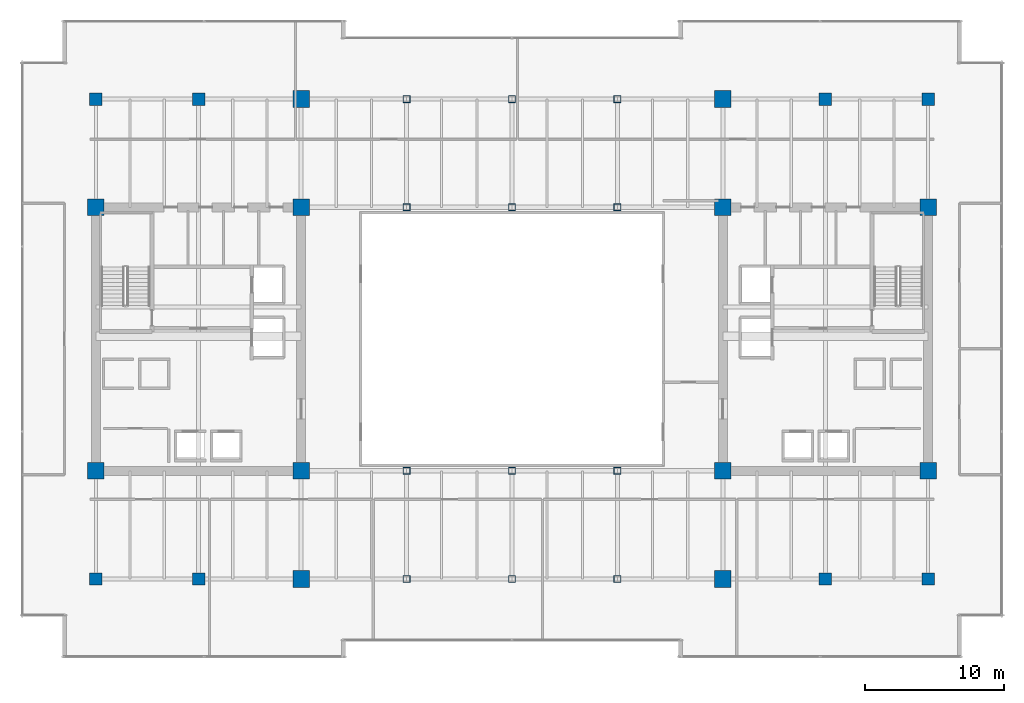
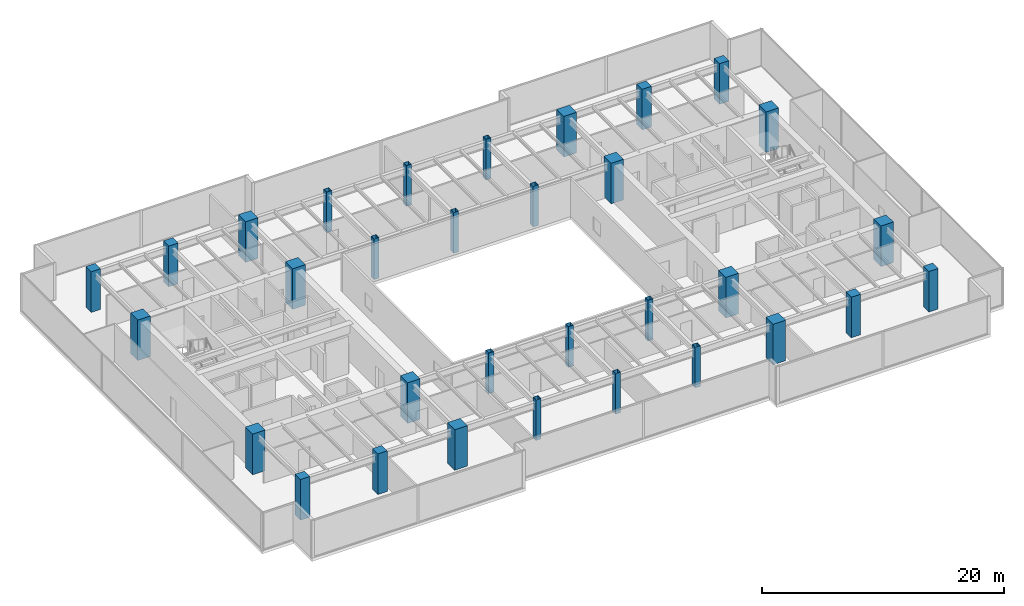
# One storey, part 1 of 30: 32 columns.
"""IFC4 building model written with IfcOpenShell, lengths in metres."""

import ifcopenshell
import ifcopenshell.guid

model = None  # the IFC model being written
_history = None  # IfcOwnerHistory: only IFC2X3 demands one
_inside = {}  # id of a spatial element -> (the spatial element, [elements in it])
_under = {}  # id of a project, library or spatial element -> (it, [spatial elements below it])
_declared = {}  # id of a project -> (the project, [libraries it declares])
_typed = {}  # id of a type object -> (the type object, [elements of that type])
_made_of = {}  # id of a material, layer set ... -> (it, [elements and type objects made of it])


def new_model(schema):
    """Start an empty IFC model of exactly this schema.

    Asked for "IFC4X3", IfcOpenShell would pick the latest addendum, in which some entities
    have other attributes; the version numbers below select the first issue.
    IFC2X3 requires an IfcOwnerHistory on every rooted entity: one is made here for all.
    """
    global model, _history
    if schema == "IFC4X3":
        model = ifcopenshell.file(schema_version=(4, 3, 0, 0))
    else:
        model = ifcopenshell.file(schema=schema)
    _inside.clear()
    _under.clear()
    _declared.clear()
    _typed.clear()
    _made_of.clear()
    _history = None
    if model.schema == "IFC2X3":
        org = make("IfcOrganization", Name="unknown")
        user = make(
            "IfcPersonAndOrganization",
            ThePerson=make("IfcPerson", FamilyName="unknown"),
            TheOrganization=org,
        )
        app = make(
            "IfcApplication",
            ApplicationDeveloper=org,
            Version="unknown",
            ApplicationFullName="unknown",
            ApplicationIdentifier="unknown",
        )
        _history = make(
            "IfcOwnerHistory",
            OwningUser=user,
            OwningApplication=app,
            ChangeAction="ADDED",
            CreationDate=0,
        )
    return model


def make(cls, **values):
    """One entity of the class cls with the attributes given. An attribute that is None is left unset."""
    return model.create_entity(
        cls, **{name: value for name, value in values.items() if value is not None}
    )


def rooted(cls, **values):
    """An entity with a GlobalId (a new one), such as an element, a storey or a relation."""
    return make(cls, GlobalId=ifcopenshell.guid.new(), OwnerHistory=_history, **values)


def si_unit(unit_type, name, prefix=None):
    """IfcSIUnit, for example si_unit("LENGTHUNIT", "METRE", prefix="MILLI")."""
    return make("IfcSIUnit", UnitType=unit_type, Prefix=prefix, Name=name)


def assignment(units):
    """IfcUnitAssignment: the units of a project."""
    return None if units is None else make("IfcUnitAssignment", Units=units)


def point(xyz):
    """IfcCartesianPoint."""
    return None if xyz is None else make("IfcCartesianPoint", Coordinates=xyz)


def direction(xyz):
    """IfcDirection."""
    return None if xyz is None else make("IfcDirection", DirectionRatios=xyz)


def frame(location, z_axis=None, x_axis=None):
    """IfcAxis2Placement3D, a coordinate frame: its origin and axes. An axis left out is left unset."""
    return make(
        "IfcAxis2Placement3D",
        Location=point(location),
        Axis=direction(z_axis),
        RefDirection=direction(x_axis),
    )


def frame_2d(location, x_axis=None):
    """IfcAxis2Placement2D, a coordinate frame in the plane: its origin and x axis."""
    return make(
        "IfcAxis2Placement2D", Location=point(location), RefDirection=direction(x_axis)
    )


def origin():
    """The frame at (0, 0, 0) with its axes left unset."""
    return frame((0.0, 0.0, 0.0))


def origin_2d():
    """The frame at (0, 0) in the plane with its x axis left unset."""
    return frame_2d((0.0, 0.0))


def place(relative_to, where):
    """IfcLocalPlacement: puts the frame where relative to a parent placement (None: the world)."""
    return make(
        "IfcLocalPlacement", PlacementRelTo=relative_to, RelativePlacement=where
    )


def context(
    kind, dimensions, precision=None, world=None, true_north=None, identifier=None
):
    """IfcGeometricRepresentationContext, for example the 3D "Model" context."""
    return make(
        "IfcGeometricRepresentationContext",
        ContextIdentifier=identifier,
        ContextType=kind,
        CoordinateSpaceDimension=dimensions,
        Precision=precision,
        WorldCoordinateSystem=world,
        TrueNorth=true_north,
    )


def subcontext(parent, identifier, kind, view, scale=None):
    """IfcGeometricRepresentationSubContext, for example "Body" below "Model"."""
    return make(
        "IfcGeometricRepresentationSubContext",
        ContextIdentifier=identifier,
        ContextType=kind,
        ParentContext=parent,
        TargetScale=scale,
        TargetView=view,
    )


def project(units=None, contexts=None):
    """IfcProject with its units and contexts."""
    return rooted(
        "IfcProject",
        Name="project",
        RepresentationContexts=contexts,
        UnitsInContext=assignment(units),
    )


def spatial(cls, under=None, at=None, **own):
    """A site, building, storey or space (cls), placed at a placement, below another one or the project."""
    s = rooted(cls, ObjectPlacement=at, **own)
    if under is not None:
        _under.setdefault(under.id(), (under, []))[1].append(s)
    return s


def profile(cls, at=None, kind="AREA", **sizes):
    """A parametric profile (cls). Its sizes go by their IFC names, for example OverallWidth=200.0."""
    return make(cls, ProfileType=kind, Position=at, **sizes)


def rectangle(**sizes):
    """IfcRectangleProfileDef."""
    return profile("IfcRectangleProfileDef", **sizes)


def hollow_rectangle(**sizes):
    """IfcRectangleHollowProfileDef."""
    return profile("IfcRectangleHollowProfileDef", **sizes)


def extrude(swept, where, along, depth):
    """IfcExtrudedAreaSolid: the profile swept, set in the frame where, extruded along a direction by depth."""
    return make(
        "IfcExtrudedAreaSolid",
        SweptArea=swept,
        Position=where,
        ExtrudedDirection=direction(along),
        Depth=depth,
    )


def shape(context_of_items, identifier, shape_type, items):
    """IfcShapeRepresentation: the items that make up one representation, for example the "Body"."""
    return make(
        "IfcShapeRepresentation",
        ContextOfItems=context_of_items,
        RepresentationIdentifier=identifier,
        RepresentationType=shape_type,
        Items=items,
    )


def source(mapping_origin, context_of_items, identifier, shape_type, items):
    """IfcRepresentationMap: a shape defined once, which mapped items show again and again."""
    return make(
        "IfcRepresentationMap",
        MappingOrigin=mapping_origin,
        MappedRepresentation=shape(context_of_items, identifier, shape_type, items),
    )


def transform(
    local_origin,
    x_axis=None,
    y_axis=None,
    z_axis=None,
    scale=None,
    scale2=None,
    scale3=None,
    uniform=True,
):
    """IfcCartesianTransformationOperator3D, or its non-uniform kind. x_axis, y_axis, z_axis: its Axis1, 2, 3."""
    if uniform:
        return make(
            "IfcCartesianTransformationOperator3D",
            Axis1=direction(x_axis),
            Axis2=direction(y_axis),
            LocalOrigin=point(local_origin),
            Scale=scale,
            Axis3=direction(z_axis),
        )
    return make(
        "IfcCartesianTransformationOperator3DnonUniform",
        Axis1=direction(x_axis),
        Axis2=direction(y_axis),
        LocalOrigin=point(local_origin),
        Scale=scale,
        Axis3=direction(z_axis),
        Scale2=scale2,
        Scale3=scale3,
    )


def mapped(mapping_source, mapping_target):
    """IfcMappedItem: shows the shape of a source again, moved by a transform."""
    return make(
        "IfcMappedItem", MappingSource=mapping_source, MappingTarget=mapping_target
    )


def material(Name=None, Category=None):
    """IfcMaterial."""
    return make("IfcMaterial", Name=Name, Category=Category)


def material_profile(
    of_material, cross_section, Name=None, Category=None, Priority=None
):
    """IfcMaterialProfile: a cross section and its material."""
    return make(
        "IfcMaterialProfile",
        Name=Name,
        Material=of_material,
        Profile=cross_section,
        Priority=Priority,
        Category=Category,
    )


def profile_set(profiles, Name=None, composite=None):
    """IfcMaterialProfileSet."""
    return make(
        "IfcMaterialProfileSet",
        Name=Name,
        MaterialProfiles=profiles,
        CompositeProfile=composite,
    )


def made_of(thing, what):
    """Note that an element or type object is made of a material, layer set ...; save() writes the relation."""
    if what is not None:
        _made_of.setdefault(what.id(), (what, []))[1].append(thing)
    return thing


def type_object(cls, material=None, **own):
    """A type object (cls), such as IfcWallType, which elements share."""
    return made_of(rooted(cls, **own), material)


def type_shapes(of_type, sources):
    """Give a type object the sources (RepresentationMaps) that its elements show as mapped items."""
    of_type.RepresentationMaps = sources


def element(
    cls,
    number,
    at=None,
    inside=None,
    cuts=None,
    type_object=None,
    material=None,
    context=None,
    identifier="Body",
    shape_type=None,
    held_by="IfcProductDefinitionShape",
    body=None,
    shapes=None,
    **own,
):
    """One element of the class cls, such as IfcWall. Its Tag is "e" and its number.

    at: its placement. inside: the storey or other place that contains it. cuts: it is an
    opening in that element (IfcRelVoidsElement). A single representation is given by context,
    identifier, shape_type and body (its items); several are given by shapes. held_by: the class
    of the entity that holds the representations. save() writes the other relations.
    """
    e = rooted(cls, Tag="e%d" % number, ObjectPlacement=at, **own)
    if body is not None:
        shapes = [shape(context, identifier, shape_type, body)]
    if shapes is not None:
        e.Representation = make(held_by, Representations=shapes)
    if inside is not None:
        _inside.setdefault(inside.id(), (inside, []))[1].append(e)
    if cuts is not None:
        rooted(
            "IfcRelVoidsElement", RelatingBuildingElement=cuts, RelatedOpeningElement=e
        )
    if type_object is not None:
        _typed.setdefault(type_object.id(), (type_object, []))[1].append(e)
    return made_of(e, material)


def aggregate(whole, parts):
    """IfcRelAggregates: a whole, such as a stair, and the parts it consists of."""
    return rooted("IfcRelAggregates", RelatingObject=whole, RelatedObjects=parts)


def save(model, path):
    """Write the relations noted so far, then the file.

    IfcRelAggregates (storeys below a building ...), IfcRelContainedInSpatialStructure (elements
    in a storey), IfcRelDefinesByType, IfcRelAssociatesMaterial and IfcRelDeclares: one each for
    every whole, place, type object, material and project.
    """
    for whole, parts in _under.values():
        aggregate(whole, parts)
    for where, things in _inside.values():
        rooted(
            "IfcRelContainedInSpatialStructure",
            RelatedElements=things,
            RelatingStructure=where,
        )
    for kind, things in _typed.values():
        rooted("IfcRelDefinesByType", RelatedObjects=things, RelatingType=kind)
    for what, things in _made_of.values():
        rooted("IfcRelAssociatesMaterial", RelatedObjects=things, RelatingMaterial=what)
    for by, libraries in _declared.values():
        rooted("IfcRelDeclares", RelatingContext=by, RelatedDefinitions=libraries)
    model.write(path)


model = new_model("IFC4")

# Units and contexts
model_context = context("Model", 3, precision=1e-05, world=origin(), true_north=direction((0.0, 1.0)))
body_context = subcontext(model_context, "Body", "Model", "MODEL_VIEW")
ifc_project = project(units=[si_unit("LENGTHUNIT", "METRE"), si_unit("AREAUNIT", "SQUARE_METRE"), si_unit("VOLUMEUNIT", "CUBIC_METRE"), si_unit("PLANEANGLEUNIT", "RADIAN"), si_unit("MASSUNIT", "GRAM", prefix="KILO")], contexts=[model_context])

# Site, building, storey
site_placement = place(None, origin())
site = spatial("IfcSite", under=ifc_project, at=site_placement, CompositionType="ELEMENT")
building_placement = place(site_placement, origin())
building = spatial("IfcBuilding", under=site, at=building_placement, Name="Haelvirn Gate Laboratories", CompositionType="ELEMENT")
storey_placement = place(building_placement, frame((0.0, 0.0, 187.10009765625)))
storey = spatial("IfcBuildingStorey", under=building, at=storey_placement, Name="L45", CompositionType="ELEMENT", Elevation=187.10009765625)

# Columns
ifc_material_1 = material(Name="Concrete C50/60", Category="concrete")
ifc_material_profile_1 = material_profile(ifc_material_1, rectangle(XDim=0.89990234375, YDim=0.89990234375, at=origin_2d()), Name="RC-900x900")
ifc_profile_set_1 = profile_set([ifc_material_profile_1], Name="Concrete C50/60")
column_type_1 = type_object("IfcColumnType", Name="COL-RC-900", PredefinedType="COLUMN", material=ifc_profile_set_1)
shared_shape_1 = source(origin(), body_context, "Body", "SweptSolid", [
    extrude(rectangle(XDim=0.89990234375, YDim=0.89990234375, at=origin_2d()), origin(), (0.0, 0.0, 1.0), 4.099853515625),
])
type_shapes(column_type_1, [shared_shape_1])
for number, where, z_axis, x_axis, name in (
    (1, (14.800048828125, 7.0, 0.0), (0.0, 0.0, 1.0), (1.0, 0.0, 0.0), "L45 Column 3B"),
    (2, (14.800048828125, 41.60009765625, 0.0), (0.0, 0.0, 1.0), (1.0, 0.0, 0.0), "L45 Column 3G"),
    (3, (60.0, 7.0, 0.0), (0.0, 0.0, 1.0), (1.0, 0.0, 0.0), "L45 Column 9B"),
    (4, (60.0, 41.60009765625, 0.0), (0.0, 0.0, 1.0), (1.0, 0.0, 0.0), "L45 Column 9G"),
    (5, (7.39990234375, 7.0, 0.0), (0.0, 0.0, 1.0), (1.0, 0.0, 0.0), "L45 Column 2B"),
    (6, (7.39990234375, 41.60009765625, 0.0), (0.0, 0.0, 1.0), (1.0, 0.0, 0.0), "L45 Column 2G"),
    (7, (67.39990234375, 7.0, 0.0), (0.0, 0.0, 1.0), (1.0, 0.0, 0.0), "L45 Column 10B"),
    (8, (67.39990234375, 41.60009765625, 0.0), (0.0, 0.0, 1.0), (1.0, 0.0, 0.0), "L45 Column 10G"),
):
    element("IfcColumn", number, at=place(storey_placement, frame(where, z_axis=z_axis, x_axis=x_axis)), inside=storey, type_object=column_type_1, Name=name, PredefinedType="COLUMN", context=body_context, shape_type="MappedRepresentation", body=[
        mapped(shared_shape_1, transform((0.0, 0.0, 0.0), scale=1.0)),
    ])
ifc_material_2 = material(Name="Concrete C60/75", Category="concrete")
ifc_material_profile_2 = material_profile(ifc_material_2, rectangle(XDim=1.199951171875, YDim=1.199951171875, at=origin_2d()), Name="SRC-1200x1200")
ifc_profile_set_2 = profile_set([ifc_material_profile_2], Name="Concrete C60/75")
column_type_2 = type_object("IfcColumnType", Name="COL-SRC-1200", PredefinedType="COLUMN", material=ifc_profile_set_2)
shared_shape_2 = source(origin(), body_context, "Body", "SweptSolid", [
    extrude(rectangle(XDim=1.199951171875, YDim=1.199951171875, at=origin_2d()), origin(), (0.0, 0.0, 1.0), 4.099853515625),
])
type_shapes(column_type_2, [shared_shape_2])
for number, where, z_axis, x_axis, name in (
    (9, (22.199951171875, 7.0, 0.0), (0.0, 0.0, 1.0), (1.0, 0.0, 0.0), "L45 Column 4B"),
    (10, (7.39990234375, 14.800048828125, 0.0), (0.0, 0.0, 1.0), (1.0, 0.0, 0.0), "L45 Column 2C"),
    (11, (22.199951171875, 14.800048828125, 0.0), (0.0, 0.0, 1.0), (1.0, 0.0, 0.0), "L45 Column 4C"),
    (12, (7.39990234375, 33.800048828125, 0.0), (0.0, 0.0, 1.0), (1.0, 0.0, 0.0), "L45 Column 2F"),
    (13, (22.199951171875, 33.800048828125, 0.0), (0.0, 0.0, 1.0), (1.0, 0.0, 0.0), "L45 Column 4F"),
    (14, (22.199951171875, 41.60009765625, 0.0), (0.0, 0.0, 1.0), (1.0, 0.0, 0.0), "L45 Column 4G"),
    (15, (52.60009765625, 7.0, 0.0), (0.0, 0.0, 1.0), (1.0, 0.0, 0.0), "L45 Column 8B"),
    (16, (52.60009765625, 14.800048828125, 0.0), (0.0, 0.0, 1.0), (1.0, 0.0, 0.0), "L45 Column 8C"),
    (17, (67.39990234375, 14.800048828125, 0.0), (0.0, 0.0, 1.0), (1.0, 0.0, 0.0), "L45 Column 10C"),
    (18, (52.60009765625, 33.800048828125, 0.0), (0.0, 0.0, 1.0), (1.0, 0.0, 0.0), "L45 Column 8F"),
    (19, (67.39990234375, 33.800048828125, 0.0), (0.0, 0.0, 1.0), (1.0, 0.0, 0.0), "L45 Column 10F"),
    (20, (52.60009765625, 41.60009765625, 0.0), (0.0, 0.0, 1.0), (1.0, 0.0, 0.0), "L45 Column 8G"),
):
    element("IfcColumn", number, at=place(storey_placement, frame(where, z_axis=z_axis, x_axis=x_axis)), inside=storey, type_object=column_type_2, Name=name, PredefinedType="COLUMN", context=body_context, shape_type="MappedRepresentation", body=[
        mapped(shared_shape_2, transform((0.0, 0.0, 0.0), scale=1.0)),
    ])
ifc_material_3 = material(Name="Steel SM355", Category="steel")
ifc_material_profile_3 = material_profile(ifc_material_3, hollow_rectangle(XDim=0.5, YDim=0.5, WallThickness=0.02197265625, at=origin_2d()), Name="BOX-500x500x22")
ifc_profile_set_3 = profile_set([ifc_material_profile_3], Name="Steel SM355")
column_type_3 = type_object("IfcColumnType", Name="COL-BOX-500", PredefinedType="COLUMN", material=ifc_profile_set_3)
shared_shape_3 = source(origin(), body_context, "Body", "SweptSolid", [
    extrude(hollow_rectangle(XDim=0.5, YDim=0.5, WallThickness=0.02197265625, at=origin_2d()), origin(), (0.0, 0.0, 1.0), 4.099853515625),
])
type_shapes(column_type_3, [shared_shape_3])
for number, where, z_axis, x_axis, name in (
    (21, (29.800048828125, 7.0, 0.0), (0.0, 0.0, 1.0), (1.0, 0.0, 0.0), "L45 Column 5B"),
    (22, (29.800048828125, 14.800048828125, 0.0), (0.0, 0.0, 1.0), (1.0, 0.0, 0.0), "L45 Column 5C"),
    (23, (29.800048828125, 33.800048828125, 0.0), (0.0, 0.0, 1.0), (1.0, 0.0, 0.0), "L45 Column 5F"),
    (24, (29.800048828125, 41.60009765625, 0.0), (0.0, 0.0, 1.0), (1.0, 0.0, 0.0), "L45 Column 5G"),
    (25, (37.39990234375, 7.0, 0.0), (0.0, 0.0, 1.0), (1.0, 0.0, 0.0), "L45 Column 6B"),
    (26, (37.39990234375, 14.800048828125, 0.0), (0.0, 0.0, 1.0), (1.0, 0.0, 0.0), "L45 Column 6C"),
    (27, (37.39990234375, 33.800048828125, 0.0), (0.0, 0.0, 1.0), (1.0, 0.0, 0.0), "L45 Column 6F"),
    (28, (37.39990234375, 41.60009765625, 0.0), (0.0, 0.0, 1.0), (1.0, 0.0, 0.0), "L45 Column 6G"),
    (29, (45.0, 7.0, 0.0), (0.0, 0.0, 1.0), (1.0, 0.0, 0.0), "L45 Column 7B"),
    (30, (45.0, 14.800048828125, 0.0), (0.0, 0.0, 1.0), (1.0, 0.0, 0.0), "L45 Column 7C"),
    (31, (45.0, 33.800048828125, 0.0), (0.0, 0.0, 1.0), (1.0, 0.0, 0.0), "L45 Column 7F"),
    (32, (45.0, 41.60009765625, 0.0), (0.0, 0.0, 1.0), (1.0, 0.0, 0.0), "L45 Column 7G"),
):
    element("IfcColumn", number, at=place(storey_placement, frame(where, z_axis=z_axis, x_axis=x_axis)), inside=storey, type_object=column_type_3, Name=name, PredefinedType="COLUMN", context=body_context, shape_type="MappedRepresentation", body=[
        mapped(shared_shape_3, transform((0.0, 0.0, 0.0), scale=1.0)),
    ])

save(model, "model.ifc")
